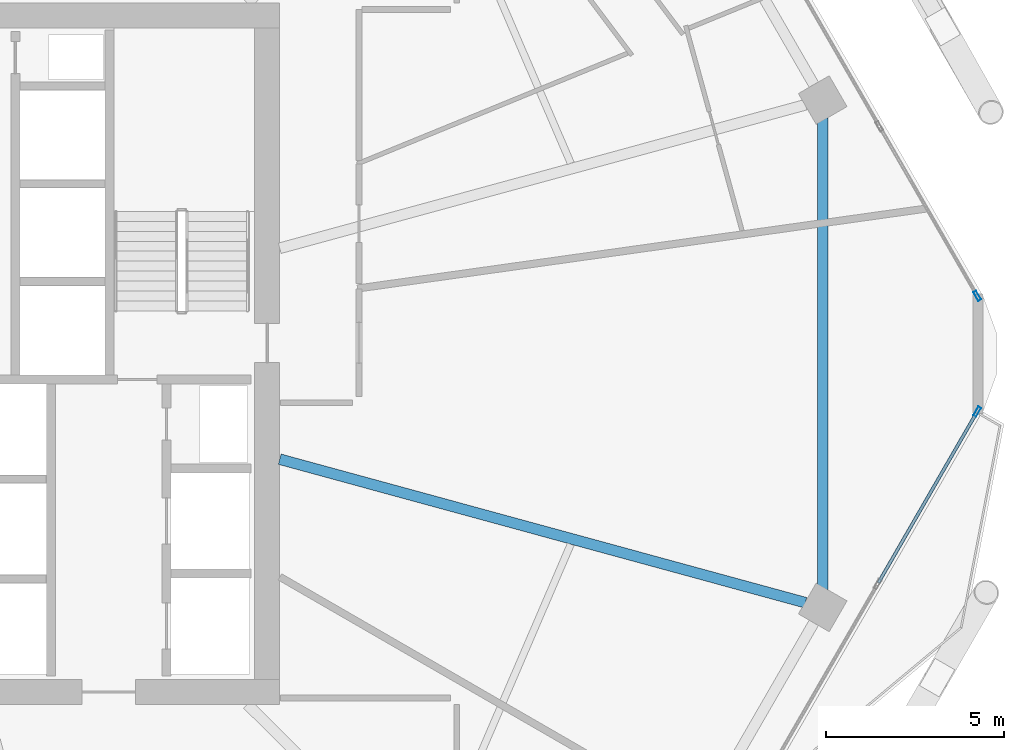
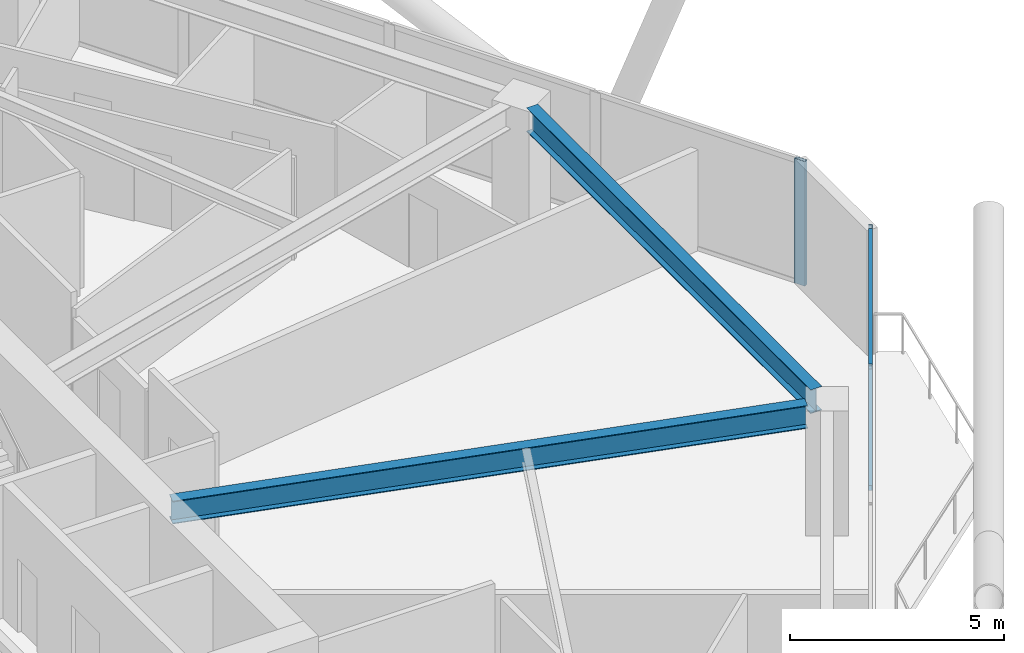
# One storey, part 9 of 28: 4 members, 2 beams, 2 elements without a shape of their own.
"""IFC4 building model written with IfcOpenShell, lengths in metres."""

import ifcopenshell
import ifcopenshell.guid

model = None  # the IFC model being written
_history = None  # IfcOwnerHistory: only IFC2X3 demands one
_inside = {}  # id of a spatial element -> (the spatial element, [elements in it])
_under = {}  # id of a project, library or spatial element -> (it, [spatial elements below it])
_declared = {}  # id of a project -> (the project, [libraries it declares])
_typed = {}  # id of a type object -> (the type object, [elements of that type])
_made_of = {}  # id of a material, layer set ... -> (it, [elements and type objects made of it])


def new_model(schema):
    """Start an empty IFC model of exactly this schema.

    Asked for "IFC4X3", IfcOpenShell would pick the latest addendum, in which some entities
    have other attributes; the version numbers below select the first issue.
    IFC2X3 requires an IfcOwnerHistory on every rooted entity: one is made here for all.
    """
    global model, _history
    if schema == "IFC4X3":
        model = ifcopenshell.file(schema_version=(4, 3, 0, 0))
    else:
        model = ifcopenshell.file(schema=schema)
    _inside.clear()
    _under.clear()
    _declared.clear()
    _typed.clear()
    _made_of.clear()
    _history = None
    if model.schema == "IFC2X3":
        org = make("IfcOrganization", Name="unknown")
        user = make(
            "IfcPersonAndOrganization",
            ThePerson=make("IfcPerson", FamilyName="unknown"),
            TheOrganization=org,
        )
        app = make(
            "IfcApplication",
            ApplicationDeveloper=org,
            Version="unknown",
            ApplicationFullName="unknown",
            ApplicationIdentifier="unknown",
        )
        _history = make(
            "IfcOwnerHistory",
            OwningUser=user,
            OwningApplication=app,
            ChangeAction="ADDED",
            CreationDate=0,
        )
    return model


def make(cls, **values):
    """One entity of the class cls with the attributes given. An attribute that is None is left unset."""
    return model.create_entity(
        cls, **{name: value for name, value in values.items() if value is not None}
    )


def rooted(cls, **values):
    """An entity with a GlobalId (a new one), such as an element, a storey or a relation."""
    return make(cls, GlobalId=ifcopenshell.guid.new(), OwnerHistory=_history, **values)


def si_unit(unit_type, name, prefix=None):
    """IfcSIUnit, for example si_unit("LENGTHUNIT", "METRE", prefix="MILLI")."""
    return make("IfcSIUnit", UnitType=unit_type, Prefix=prefix, Name=name)


def assignment(units):
    """IfcUnitAssignment: the units of a project."""
    return None if units is None else make("IfcUnitAssignment", Units=units)


def point(xyz):
    """IfcCartesianPoint."""
    return None if xyz is None else make("IfcCartesianPoint", Coordinates=xyz)


def direction(xyz):
    """IfcDirection."""
    return None if xyz is None else make("IfcDirection", DirectionRatios=xyz)


def frame(location, z_axis=None, x_axis=None):
    """IfcAxis2Placement3D, a coordinate frame: its origin and axes. An axis left out is left unset."""
    return make(
        "IfcAxis2Placement3D",
        Location=point(location),
        Axis=direction(z_axis),
        RefDirection=direction(x_axis),
    )


def frame_2d(location, x_axis=None):
    """IfcAxis2Placement2D, a coordinate frame in the plane: its origin and x axis."""
    return make(
        "IfcAxis2Placement2D", Location=point(location), RefDirection=direction(x_axis)
    )


def origin():
    """The frame at (0, 0, 0) with its axes left unset."""
    return frame((0.0, 0.0, 0.0))


def origin_2d():
    """The frame at (0, 0) in the plane with its x axis left unset."""
    return frame_2d((0.0, 0.0))


def place(relative_to, where):
    """IfcLocalPlacement: puts the frame where relative to a parent placement (None: the world)."""
    return make(
        "IfcLocalPlacement", PlacementRelTo=relative_to, RelativePlacement=where
    )


def context(
    kind, dimensions, precision=None, world=None, true_north=None, identifier=None
):
    """IfcGeometricRepresentationContext, for example the 3D "Model" context."""
    return make(
        "IfcGeometricRepresentationContext",
        ContextIdentifier=identifier,
        ContextType=kind,
        CoordinateSpaceDimension=dimensions,
        Precision=precision,
        WorldCoordinateSystem=world,
        TrueNorth=true_north,
    )


def subcontext(parent, identifier, kind, view, scale=None):
    """IfcGeometricRepresentationSubContext, for example "Body" below "Model"."""
    return make(
        "IfcGeometricRepresentationSubContext",
        ContextIdentifier=identifier,
        ContextType=kind,
        ParentContext=parent,
        TargetScale=scale,
        TargetView=view,
    )


def project(units=None, contexts=None):
    """IfcProject with its units and contexts."""
    return rooted(
        "IfcProject",
        Name="project",
        RepresentationContexts=contexts,
        UnitsInContext=assignment(units),
    )


def spatial(cls, under=None, at=None, **own):
    """A site, building, storey or space (cls), placed at a placement, below another one or the project."""
    s = rooted(cls, ObjectPlacement=at, **own)
    if under is not None:
        _under.setdefault(under.id(), (under, []))[1].append(s)
    return s


def profile(cls, at=None, kind="AREA", **sizes):
    """A parametric profile (cls). Its sizes go by their IFC names, for example OverallWidth=200.0."""
    return make(cls, ProfileType=kind, Position=at, **sizes)


def hollow_rectangle(**sizes):
    """IfcRectangleHollowProfileDef."""
    return profile("IfcRectangleHollowProfileDef", **sizes)


def i_section(**sizes):
    """IfcIShapeProfileDef."""
    return profile("IfcIShapeProfileDef", **sizes)


def extrude(swept, where, along, depth):
    """IfcExtrudedAreaSolid: the profile swept, set in the frame where, extruded along a direction by depth."""
    return make(
        "IfcExtrudedAreaSolid",
        SweptArea=swept,
        Position=where,
        ExtrudedDirection=direction(along),
        Depth=depth,
    )


def shape(context_of_items, identifier, shape_type, items):
    """IfcShapeRepresentation: the items that make up one representation, for example the "Body"."""
    return make(
        "IfcShapeRepresentation",
        ContextOfItems=context_of_items,
        RepresentationIdentifier=identifier,
        RepresentationType=shape_type,
        Items=items,
    )


def material(Name=None, Category=None):
    """IfcMaterial."""
    return make("IfcMaterial", Name=Name, Category=Category)


def material_profile(
    of_material, cross_section, Name=None, Category=None, Priority=None
):
    """IfcMaterialProfile: a cross section and its material."""
    return make(
        "IfcMaterialProfile",
        Name=Name,
        Material=of_material,
        Profile=cross_section,
        Priority=Priority,
        Category=Category,
    )


def profile_set(profiles, Name=None, composite=None):
    """IfcMaterialProfileSet."""
    return make(
        "IfcMaterialProfileSet",
        Name=Name,
        MaterialProfiles=profiles,
        CompositeProfile=composite,
    )


def made_of(thing, what):
    """Note that an element or type object is made of a material, layer set ...; save() writes the relation."""
    if what is not None:
        _made_of.setdefault(what.id(), (what, []))[1].append(thing)
    return thing


def type_object(cls, material=None, **own):
    """A type object (cls), such as IfcWallType, which elements share."""
    return made_of(rooted(cls, **own), material)


def element(
    cls,
    number,
    at=None,
    inside=None,
    cuts=None,
    type_object=None,
    material=None,
    context=None,
    identifier="Body",
    shape_type=None,
    held_by="IfcProductDefinitionShape",
    body=None,
    shapes=None,
    **own,
):
    """One element of the class cls, such as IfcWall. Its Tag is "e" and its number.

    at: its placement. inside: the storey or other place that contains it. cuts: it is an
    opening in that element (IfcRelVoidsElement). A single representation is given by context,
    identifier, shape_type and body (its items); several are given by shapes. held_by: the class
    of the entity that holds the representations. save() writes the other relations.
    """
    e = rooted(cls, Tag="e%d" % number, ObjectPlacement=at, **own)
    if body is not None:
        shapes = [shape(context, identifier, shape_type, body)]
    if shapes is not None:
        e.Representation = make(held_by, Representations=shapes)
    if inside is not None:
        _inside.setdefault(inside.id(), (inside, []))[1].append(e)
    if cuts is not None:
        rooted(
            "IfcRelVoidsElement", RelatingBuildingElement=cuts, RelatedOpeningElement=e
        )
    if type_object is not None:
        _typed.setdefault(type_object.id(), (type_object, []))[1].append(e)
    return made_of(e, material)


def aggregate(whole, parts):
    """IfcRelAggregates: a whole, such as a stair, and the parts it consists of."""
    return rooted("IfcRelAggregates", RelatingObject=whole, RelatedObjects=parts)


def save(model, path):
    """Write the relations noted so far, then the file.

    IfcRelAggregates (storeys below a building ...), IfcRelContainedInSpatialStructure (elements
    in a storey), IfcRelDefinesByType, IfcRelAssociatesMaterial and IfcRelDeclares: one each for
    every whole, place, type object, material and project.
    """
    for whole, parts in _under.values():
        aggregate(whole, parts)
    for where, things in _inside.values():
        rooted(
            "IfcRelContainedInSpatialStructure",
            RelatedElements=things,
            RelatingStructure=where,
        )
    for kind, things in _typed.values():
        rooted("IfcRelDefinesByType", RelatedObjects=things, RelatingType=kind)
    for what, things in _made_of.values():
        rooted("IfcRelAssociatesMaterial", RelatedObjects=things, RelatingMaterial=what)
    for by, libraries in _declared.values():
        rooted("IfcRelDeclares", RelatingContext=by, RelatedDefinitions=libraries)
    model.write(path)


model = new_model("IFC4")

# Units and contexts
model_context = context("Model", 3, precision=1e-05, world=origin(), true_north=direction((0.0, 1.0)))
body_context = subcontext(model_context, "Body", "Model", "MODEL_VIEW")
ifc_project = project(units=[si_unit("LENGTHUNIT", "METRE"), si_unit("AREAUNIT", "SQUARE_METRE"), si_unit("VOLUMEUNIT", "CUBIC_METRE"), si_unit("PLANEANGLEUNIT", "RADIAN"), si_unit("MASSUNIT", "GRAM", prefix="KILO")], contexts=[model_context])

# Site, building, storey
site_placement = place(None, origin())
site = spatial("IfcSite", under=ifc_project, at=site_placement, CompositionType="ELEMENT")
building_placement = place(site_placement, origin())
building = spatial("IfcBuilding", under=site, at=building_placement, Name="Zuhravey Tower", CompositionType="ELEMENT")
storey_placement = place(building_placement, frame((0.0, 0.0, 154.199951171875)))
storey = spatial("IfcBuildingStorey", under=building, at=storey_placement, Name="L38", CompositionType="ELEMENT", Elevation=154.199951171875)

# Curtain wall, member
ifc_material_1 = material(Name="Thermally broken anodised aluminium", Category="aluminium")
curtain_wall_type = type_object("IfcCurtainWallType", Name="Zone 1-2 Residential Curtain Wall CW3", PredefinedType="NOTDEFINED", material=ifc_material_1)
curtain_wall_1_placement = place(storey_placement, origin())
curtain_wall_1 = element("IfcCurtainWall", 1, at=curtain_wall_1_placement, inside=storey, type_object=curtain_wall_type, Name="L38 CW3 CW-L38-F6-1", PredefinedType="NOTDEFINED")
ifc_material_2 = material(Name="Anodised aluminium", Category="aluminium")
ifc_material_profile_1 = material_profile(ifc_material_2, hollow_rectangle(XDim=0.090087890625, YDim=0.284912109375, WallThickness=0.0048828125, at=origin_2d()), Name="ALU-RHS-90x285x5")
ifc_profile_set_1 = profile_set([ifc_material_profile_1], Name="Anodised aluminium")
member_type_1 = type_object("IfcMemberType", Name="Curtain-Wall Mullion 90x180", PredefinedType="MULLION", material=ifc_profile_set_1)
member_1_placement = place(storey_placement, frame((66.44921875, 30.37353515625, 0.0), z_axis=(0.0, 0.0, 1.0), x_axis=(0.866024427751, -0.500001690536, 0.0)))
member_1 = element("IfcMember", 2, at=member_1_placement, type_object=member_type_1, Name="CW3 mullion 1", PredefinedType="MULLION", context=body_context, shape_type="SweptSolid", body=[
    extrude(hollow_rectangle(XDim=0.090087890625, YDim=0.284912109375, WallThickness=0.0048828125, at=origin_2d()), origin(), (0.0, 0.0, 1.0), 3.550048828125),
])

curtain_wall_2_placement = place(storey_placement, origin())
curtain_wall_2 = element("IfcCurtainWall", 3, at=curtain_wall_2_placement, inside=storey, type_object=curtain_wall_type, Name="L38 CW3 CW-L38-F1-1", PredefinedType="NOTDEFINED")
member_2_placement = place(storey_placement, frame((66.44921875, 33.62646484375, 0.0), z_axis=(0.0, 0.0, 1.0), x_axis=(0.866025138215, 0.500000459979, 0.0)))
member_2 = element("IfcMember", 4, at=member_2_placement, type_object=member_type_1, Name="CW3 mullion 6", PredefinedType="MULLION", context=body_context, shape_type="SweptSolid", body=[
    extrude(hollow_rectangle(XDim=0.090087890625, YDim=0.284912109375, WallThickness=0.0048828125, at=origin_2d()), origin(), (0.0, 0.0, 1.0), 3.550048828125),
])
aggregate(curtain_wall_2, [member_2])

# Member
ifc_material_profile_2 = material_profile(ifc_material_2, hollow_rectangle(XDim=0.090087890625, YDim=0.14990234375, WallThickness=0.0048828125, at=origin_2d()), Name="ALU-RHS-90x150x5")
ifc_profile_set_2 = profile_set([ifc_material_profile_2], Name="Anodised aluminium")
member_type_2 = type_object("IfcMemberType", Name="Curtain-Wall Transom 90x150", PredefinedType="USERDEFINED", material=ifc_profile_set_2)
member_3_placement = place(storey_placement, frame((66.4267578125, 30.33447265625, 0.045166015625), z_axis=(-0.500001324761, -0.866024638932, 0.0), x_axis=(0.866024638932, -0.500001324761, 0.0)))
member_3 = element("IfcMember", 5, at=member_3_placement, type_object=member_type_2, Name="CW3 transom 1.1", ObjectType="TRANSOM", PredefinedType="USERDEFINED", context=body_context, shape_type="SweptSolid", body=[
    extrude(hollow_rectangle(XDim=0.090087890625, YDim=0.14990234375, WallThickness=0.0048828125, at=origin_2d()), origin(), (0.0, 0.0, 1.0), 5.5068359375),
])

member_4_placement = place(storey_placement, frame((66.4267578125, 30.33447265625, 3.505126953125), z_axis=(-0.500001324761, -0.866024638932, 0.0), x_axis=(0.866024638932, -0.500001324761, 0.0)))
member_4 = element("IfcMember", 6, at=member_4_placement, type_object=member_type_2, Name="CW3 transom 1.2", ObjectType="TRANSOM", PredefinedType="USERDEFINED", context=body_context, shape_type="SweptSolid", body=[
    extrude(hollow_rectangle(XDim=0.090087890625, YDim=0.14990234375, WallThickness=0.0048828125, at=origin_2d()), origin(), (0.0, 0.0, 1.0), 5.5068359375),
])

aggregate(curtain_wall_1, [member_1, member_3, member_4])

# Beams
ifc_material_3 = material(Name="Steel SM355", Category="steel")
ifc_material_profile_3 = material_profile(ifc_material_3, i_section(OverallWidth=0.300048828125, OverallDepth=0.679931640625, WebThickness=0.012939453125, FlangeThickness=0.02197265625, at=origin_2d()), Name="H-680x300x13x22")
ifc_profile_set_3 = profile_set([ifc_material_profile_3], Name="Steel SM355")
beam_type_1 = type_object("IfcBeamType", Name="Perimeter Ring Beam H680x300", PredefinedType="BEAM", material=ifc_profile_set_3)
beam_1_placement = place(storey_placement, frame((62.107666015625, 25.37646484375, 3.2099609375), z_axis=(0.0, 1.0, 0.0), x_axis=(-1.0, 0.0, 0.0)))
element("IfcBeam", 7, at=beam_1_placement, inside=storey, type_object=beam_type_1, Name="L38 PB2 BM-L38-PB-12", PredefinedType="BEAM", context=body_context, shape_type="SweptSolid", body=[
    extrude(i_section(OverallWidth=0.300048828125, OverallDepth=0.679931640625, WebThickness=0.012939453125, FlangeThickness=0.02197265625, at=origin_2d()), origin(), (0.0, 0.0, 1.0), 13.2470703125),
])
ifc_material_profile_4 = material_profile(ifc_material_3, i_section(OverallWidth=0.300048828125, OverallDepth=0.64990234375, WebThickness=0.012939453125, FlangeThickness=0.02197265625, at=origin_2d()), Name="H-650x300x13x22")
ifc_profile_set_4 = profile_set([ifc_material_profile_4], Name="Steel SM355")
beam_type_2 = type_object("IfcBeamType", Name="Radial Primary Girder H650x300", PredefinedType="BEAM", material=ifc_profile_set_4)
beam_2_placement = place(storey_placement, frame((46.85302734375, 29.03759765625, 3.22509765625), z_axis=(0.964701601771, -0.263345437667, 0.0), x_axis=(0.263345437667, 0.964701601771, 0.0)))
element("IfcBeam", 8, at=beam_2_placement, inside=storey, type_object=beam_type_2, Name="L38 RG2 BM-L38-RAD-12", PredefinedType="BEAM", context=body_context, shape_type="SweptSolid", body=[
    extrude(i_section(OverallWidth=0.300048828125, OverallDepth=0.64990234375, WebThickness=0.012939453125, FlangeThickness=0.02197265625, at=origin_2d()), origin(), (0.0, 0.0, 1.0), 15.309814453125),
])

save(model, "model.ifc")
